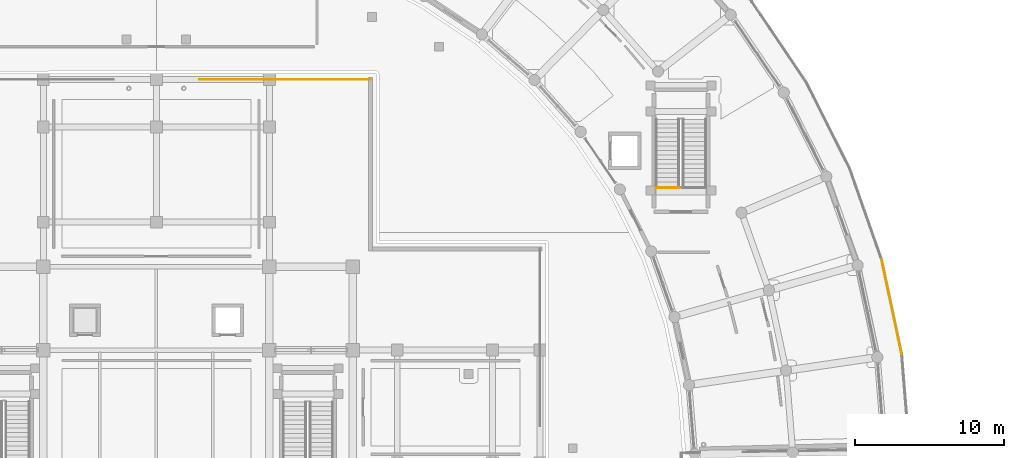
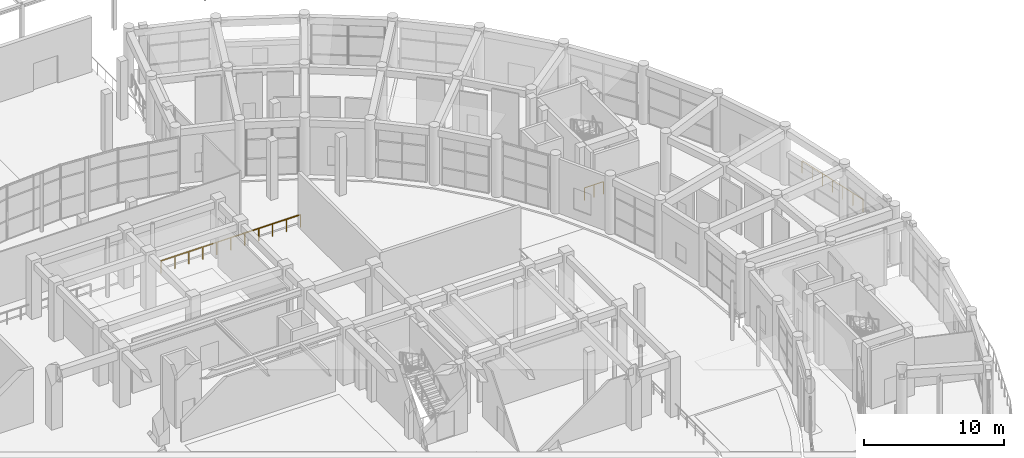
# One storey, part 94 of 99: 3 railings.
"""IFC4 building model written with IfcOpenShell, lengths in metres."""

from ifc_helpers import new_model, si_unit, direction, frame, origin, origin_2d, place, context, subcontext, project, spatial, rectangle, extrude, material, layer, layer_set, type_object, element, save


model = new_model("IFC4")

# Units and contexts
model_context = context("Model", 3, precision=1e-05, world=origin(), true_north=direction((0.0, 1.0)))
body_context = subcontext(model_context, "Body", "Model", "MODEL_VIEW")
ifc_project = project(units=[si_unit("LENGTHUNIT", "METRE"), si_unit("AREAUNIT", "SQUARE_METRE"), si_unit("VOLUMEUNIT", "CUBIC_METRE"), si_unit("PLANEANGLEUNIT", "RADIAN"), si_unit("MASSUNIT", "GRAM", prefix="KILO")], contexts=[model_context])

# Site, building, storey
site_placement = place(None, origin())
site = spatial("IfcSite", under=ifc_project, at=site_placement, CompositionType="ELEMENT")
building_placement = place(site_placement, origin())
building = spatial("IfcBuilding", under=site, at=building_placement, Name="Saryqyr Civic Hall", CompositionType="ELEMENT")
storey_placement = place(building_placement, origin())
storey = spatial("IfcBuildingStorey", under=building, at=storey_placement, Name="L00", CompositionType="ELEMENT", Elevation=0.0)

# Railings
ifc_material = material(Name="Warm brushed brass and laminated glass", Category="glass")
ifc_layer = layer(ifc_material, 0.06005859375, Name="Warm brushed brass and laminated glass")
ifc_layer_set = layer_set([ifc_layer], Name="Warm brushed brass and laminated glass")
railing_type = type_object("IfcRailingType", Name="INT-RLG-BAL-1100", PredefinedType="BALUSTRADE", material=ifc_layer_set)
railing_1_placement = place(storey_placement, frame((59.89990234375, 109.800048828125, 0.0)))
element("IfcRailing", 1, at=railing_1_placement, inside=storey, type_object=railing_type, Name="Perimeter safety balustrade V1-JNTGB-L00-05-G01", PredefinedType="BALUSTRADE", context=body_context, shape_type="SweptSolid", body=[
    extrude(rectangle(XDim=0.048095703125, YDim=0.048095703125, at=origin_2d()), frame((0.0, 0.0, 1.076171875), z_axis=(1.0, 0.0, 0.0), x_axis=(0.0, 1.0, 0.0)), (0.0, 0.0, 1.0), 11.5),
    extrude(rectangle(XDim=0.0419921875, YDim=0.0419921875, at=origin_2d()), origin(), (0.0, 0.0, 1.0), 1.052001953125),
    extrude(rectangle(XDim=0.0419921875, YDim=0.0419921875, at=origin_2d()), frame((1.14990234375, 0.0, 0.0)), (0.0, 0.0, 1.0), 1.052001953125),
    extrude(rectangle(XDim=0.0419921875, YDim=0.0419921875, at=origin_2d()), frame((2.300048828125, 0.0, 0.0)), (0.0, 0.0, 1.0), 1.052001953125),
    extrude(rectangle(XDim=0.0419921875, YDim=0.0419921875, at=origin_2d()), frame((3.449951171875, 0.0, 0.0)), (0.0, 0.0, 1.0), 1.052001953125),
    extrude(rectangle(XDim=0.0419921875, YDim=0.0419921875, at=origin_2d()), frame((4.60009765625, 0.0, 0.0)), (0.0, 0.0, 1.0), 1.052001953125),
    extrude(rectangle(XDim=0.0419921875, YDim=0.0419921875, at=origin_2d()), frame((5.75, 0.0, 0.0)), (0.0, 0.0, 1.0), 1.052001953125),
    extrude(rectangle(XDim=0.0419921875, YDim=0.0419921875, at=origin_2d()), frame((6.89990234375, 0.0, 0.0)), (0.0, 0.0, 1.0), 1.052001953125),
    extrude(rectangle(XDim=0.0419921875, YDim=0.0419921875, at=origin_2d()), frame((8.050048828125, 0.0, 0.0)), (0.0, 0.0, 1.0), 1.052001953125),
    extrude(rectangle(XDim=0.0419921875, YDim=0.0419921875, at=origin_2d()), frame((9.199951171875, 0.0, 0.0)), (0.0, 0.0, 1.0), 1.052001953125),
    extrude(rectangle(XDim=0.0419921875, YDim=0.0419921875, at=origin_2d()), frame((10.35009765625, 0.0, 0.0)), (0.0, 0.0, 1.0), 1.052001953125),
    extrude(rectangle(XDim=0.0419921875, YDim=0.0419921875, at=origin_2d()), frame((11.5, 0.0, 0.0)), (0.0, 0.0, 1.0), 1.052001953125),
])
railing_2_placement = place(storey_placement, frame((105.76513671875, 97.6875, 0.0)))
element("IfcRailing", 2, at=railing_2_placement, inside=storey, type_object=railing_type, Name="Interior deck safety balustrade L00-023", PredefinedType="BALUSTRADE", context=body_context, shape_type="SweptSolid", body=[
    extrude(rectangle(XDim=0.048095703125, YDim=0.048095703125, at=origin_2d()), frame((0.0, 0.0, 1.09619140625), z_axis=(0.207873118817, -0.978155798671, 0.0), x_axis=(0.978155798671, 0.207873118817, 0.0)), (0.0, 0.0, 1.0), 6.50537109375),
    extrude(rectangle(XDim=0.0419921875, YDim=0.0419921875, at=origin_2d()), origin(), (0.0, 0.0, 1.0), 1.072021484375),
    extrude(rectangle(XDim=0.0419921875, YDim=0.0419921875, at=origin_2d()), frame((0.225341796875, -1.060546875, 0.0)), (0.0, 0.0, 1.0), 1.072021484375),
    extrude(rectangle(XDim=0.0419921875, YDim=0.0419921875, at=origin_2d()), frame((0.45068359375, -2.12109375, 0.0)), (0.0, 0.0, 1.0), 1.072021484375),
    extrude(rectangle(XDim=0.0419921875, YDim=0.0419921875, at=origin_2d()), frame((0.67626953125, -3.181640625, 0.0)), (0.0, 0.0, 1.0), 1.072021484375),
    extrude(rectangle(XDim=0.0419921875, YDim=0.0419921875, at=origin_2d()), frame((0.901611328125, -4.2421875, 0.0)), (0.0, 0.0, 1.0), 1.072021484375),
    extrude(rectangle(XDim=0.0419921875, YDim=0.0419921875, at=origin_2d()), frame((1.126953125, -5.302734375, 0.0)), (0.0, 0.0, 1.0), 1.072021484375),
    extrude(rectangle(XDim=0.0419921875, YDim=0.0419921875, at=origin_2d()), frame((1.352294921875, -6.36328125, 0.0)), (0.0, 0.0, 1.0), 1.072021484375),
])
railing_3_placement = place(storey_placement, frame((90.60498046875, 102.52001953125, 0.0)))
element("IfcRailing", 3, at=railing_3_placement, inside=storey, type_object=railing_type, Name="Interior deck safety balustrade L00-062", PredefinedType="BALUSTRADE", context=body_context, shape_type="SweptSolid", body=[
    extrude(rectangle(XDim=0.048095703125, YDim=0.048095703125, at=origin_2d()), frame((0.0, 0.0, 1.09619140625), z_axis=(1.0, 0.0, 0.0), x_axis=(0.0, 1.0, 0.0)), (0.0, 0.0, 1.0), 1.574951171875),
    extrude(rectangle(XDim=0.0419921875, YDim=0.0419921875, at=origin_2d()), origin(), (0.0, 0.0, 1.0), 1.072021484375),
    extrude(rectangle(XDim=0.0419921875, YDim=0.0419921875, at=origin_2d()), frame((0.78759765625, 0.0, 0.0)), (0.0, 0.0, 1.0), 1.072021484375),
    extrude(rectangle(XDim=0.0419921875, YDim=0.0419921875, at=origin_2d()), frame((1.574951171875, 0.0, 0.0)), (0.0, 0.0, 1.0), 1.072021484375),
])

save(model, "model.ifc")
